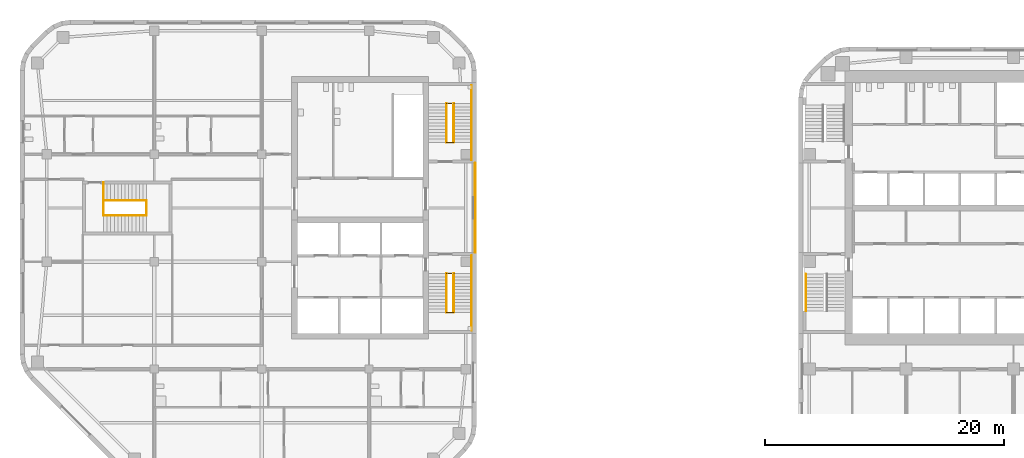
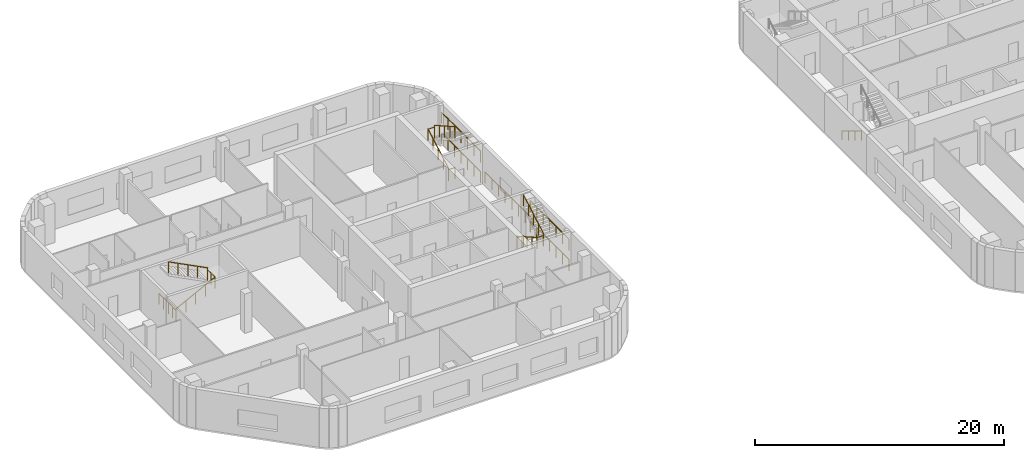
# One storey, part 13 of 15: 19 railings, 1 element without a shape of its own.
"""IFC4 building model written with IfcOpenShell, lengths in metres."""

from ifc_helpers import new_model, si_unit, direction, frame, origin, origin_2d, place, context, subcontext, project, spatial, circle, extrude, material, type_object, element, aggregate, save


model = new_model("IFC4")

# Units and contexts
model_context = context("Model", 3, precision=1e-05, world=origin(), true_north=direction((0.0, 1.0)))
body_context = subcontext(model_context, "Body", "Model", "MODEL_VIEW")
ifc_project = project(units=[si_unit("LENGTHUNIT", "METRE"), si_unit("AREAUNIT", "SQUARE_METRE"), si_unit("VOLUMEUNIT", "CUBIC_METRE"), si_unit("PLANEANGLEUNIT", "RADIAN"), si_unit("MASSUNIT", "GRAM", prefix="KILO")], contexts=[model_context])

# Site, building, storey
site_placement = place(None, origin())
site = spatial("IfcSite", under=ifc_project, at=site_placement, CompositionType="ELEMENT")
building_placement = place(site_placement, origin())
building = spatial("IfcBuilding", under=site, at=building_placement, Name="Cinnabar Reach Civic Tower", CompositionType="ELEMENT")
storey_placement = place(building_placement, frame((0.0, 0.0, 59.0)))
storey = spatial("IfcBuildingStorey", under=building, at=storey_placement, Name="L13", CompositionType="ELEMENT", Elevation=59.0)

# Stair, railing
ifc_material_1 = material(Name="Concrete C40/50", Category="concrete")
stair_type = type_object("IfcStairType", Name="T1 Exit stair, half-turn", PredefinedType="HALF_TURN_STAIR", material=ifc_material_1)
stair_placement = place(storey_placement, origin())
stair = element("IfcStair", 1, at=stair_placement, inside=storey, type_object=stair_type, Name="Stair T1-S1", PredefinedType="HALF_TURN_STAIR")
ifc_material_2 = material(Name="Stainless steel tube", Category="steel")
railing_type_1 = type_object("IfcRailingType", Name="T1 Stair handrail, stainless tube 48", PredefinedType="HANDRAIL", material=ifc_material_2)
railing_1_placement = place(storey_placement, frame((0.6, 25.95, 0.1667)))
railing_1 = element("IfcRailing", 2, at=railing_1_placement, type_object=railing_type_1, Name="T1-S1 handrail 1", PredefinedType="HANDRAIL", context=body_context, shape_type="SweptSolid", body=[
    extrude(circle(Radius=0.024, at=origin_2d()), frame((0.0, 0.0, 0.876), z_axis=(0.0, -0.859296971757, 0.511476992962), x_axis=(1.0, 0.0, 0.0)), (0.0, 0.0, 1.0), 3.5843),
    extrude(circle(Radius=0.021, at=origin_2d()), origin(), (0.0, 0.0, 1.0), 0.852),
    extrude(circle(Radius=0.021, at=origin_2d()), frame((0.0, -1.0267, 0.6111)), (0.0, 0.0, 1.0), 0.852),
    extrude(circle(Radius=0.021, at=origin_2d()), frame((0.0, -2.0533, 1.2222)), (0.0, 0.0, 1.0), 0.852),
    extrude(circle(Radius=0.021, at=origin_2d()), frame((0.0, -3.08, 1.8333)), (0.0, 0.0, 1.0), 0.852),
])
aggregate(stair, [railing_1])

# Railings
ifc_material_3 = material(Name="Stainless steel", Category="steel")
railing_type_2 = type_object("IfcRailingType", Name="T2 Stair guard 1100", PredefinedType="GUARDRAIL", material=ifc_material_3)
railing_2_placement = place(storey_placement, frame((-27.1, 27.75, 0.0)))
element("IfcRailing", 3, at=railing_2_placement, inside=storey, type_object=railing_type_2, Name="Corridor end guard", PredefinedType="GUARDRAIL", context=body_context, shape_type="SweptSolid", body=[
    extrude(circle(Radius=0.024, at=origin_2d()), frame((0.0, 0.0, 1.076), z_axis=(0.0, 1.0, 0.0), x_axis=(-1.0, 0.0, 0.0)), (0.0, 0.0, 1.0), 7.5),
    extrude(circle(Radius=0.021, at=origin_2d()), origin(), (0.0, 0.0, 1.0), 1.052),
    extrude(circle(Radius=0.021, at=origin_2d()), frame((0.0, 1.0714, 0.0)), (0.0, 0.0, 1.0), 1.052),
    extrude(circle(Radius=0.021, at=origin_2d()), frame((0.0, 2.1429, 0.0)), (0.0, 0.0, 1.0), 1.052),
    extrude(circle(Radius=0.021, at=origin_2d()), frame((0.0, 3.2143, 0.0)), (0.0, 0.0, 1.0), 1.052),
    extrude(circle(Radius=0.021, at=origin_2d()), frame((0.0, 4.2857, 0.0)), (0.0, 0.0, 1.0), 1.052),
    extrude(circle(Radius=0.021, at=origin_2d()), frame((0.0, 5.3571, 0.0)), (0.0, 0.0, 1.0), 1.052),
    extrude(circle(Radius=0.021, at=origin_2d()), frame((0.0, 6.4286, 0.0)), (0.0, 0.0, 1.0), 1.052),
    extrude(circle(Radius=0.021, at=origin_2d()), frame((0.0, 7.5, 0.0)), (0.0, 0.0, 1.0), 1.052),
])
for number, where, name in (
    (4, (-27.4, 21.25, 0.0), "Stair guard 1"),
    (5, (-27.4, 21.25, 2.0), "Stair guard 1"),
):
    element("IfcRailing", number, at=place(storey_placement, frame(where)), inside=storey, type_object=railing_type_2, Name=name, PredefinedType="GUARDRAIL", context=body_context, shape_type="SweptSolid", body=[
        extrude(circle(Radius=0.024, at=origin_2d()), frame((0.0, 0.0, 1.076), z_axis=(0.0, 1.0, 0.0), x_axis=(-1.0, 0.0, 0.0)), (0.0, 0.0, 1.0), 6.25),
        extrude(circle(Radius=0.021, at=origin_2d()), origin(), (0.0, 0.0, 1.0), 1.052),
        extrude(circle(Radius=0.021, at=origin_2d()), frame((0.0, 1.0417, 0.0)), (0.0, 0.0, 1.0), 1.052),
        extrude(circle(Radius=0.021, at=origin_2d()), frame((0.0, 2.0833, 0.0)), (0.0, 0.0, 1.0), 1.052),
        extrude(circle(Radius=0.021, at=origin_2d()), frame((0.0, 3.125, 0.0)), (0.0, 0.0, 1.0), 1.052),
        extrude(circle(Radius=0.021, at=origin_2d()), frame((0.0, 4.1667, 0.0)), (0.0, 0.0, 1.0), 1.052),
        extrude(circle(Radius=0.021, at=origin_2d()), frame((0.0, 5.2083, 0.0)), (0.0, 0.0, 1.0), 1.052),
        extrude(circle(Radius=0.021, at=origin_2d()), frame((0.0, 6.25, 0.0)), (0.0, 0.0, 1.0), 1.052),
    ])
for number, where, name in (
    (6, (-29.5, 26.0, 0.0), "Stair guard 1"),
    (7, (-29.5, 22.75, 2.0), "Stair guard 1"),
):
    element("IfcRailing", number, at=place(storey_placement, frame(where)), inside=storey, type_object=railing_type_2, Name=name, PredefinedType="GUARDRAIL", context=body_context, shape_type="SweptSolid", body=[
        extrude(circle(Radius=0.024, at=origin_2d()), frame((0.0, 0.0, 1.076), z_axis=(1.0, 0.0, 0.0), x_axis=(0.0, 1.0, 0.0)), (0.0, 0.0, 1.0), 0.6),
        extrude(circle(Radius=0.021, at=origin_2d()), origin(), (0.0, 0.0, 1.0), 1.052),
        extrude(circle(Radius=0.021, at=origin_2d()), frame((0.6, 0.0, 0.0)), (0.0, 0.0, 1.0), 1.052),
    ])
railing_3_placement = place(storey_placement, frame((-29.5, 26.0, 0.1538)))
element("IfcRailing", 8, at=railing_3_placement, inside=storey, type_object=railing_type_2, Name="Stair guard 1", PredefinedType="GUARDRAIL", context=body_context, shape_type="SweptSolid", body=[
    extrude(circle(Radius=0.024, at=origin_2d()), frame((0.0, 0.0, 1.076), z_axis=(0.0, -0.869501474428, 0.493930345258), x_axis=(1.0, 0.0, 0.0)), (0.0, 0.0, 1.0), 3.7378),
    extrude(circle(Radius=0.021, at=origin_2d()), origin(), (0.0, 0.0, 1.0), 1.052),
    extrude(circle(Radius=0.021, at=origin_2d()), frame((0.0, -0.8125, 0.4616)), (0.0, 0.0, 1.0), 1.052),
    extrude(circle(Radius=0.021, at=origin_2d()), frame((0.0, -1.625, 0.9231)), (0.0, 0.0, 1.0), 1.052),
    extrude(circle(Radius=0.021, at=origin_2d()), frame((0.0, -2.4375, 1.3847)), (0.0, 0.0, 1.0), 1.052),
    extrude(circle(Radius=0.021, at=origin_2d()), frame((0.0, -3.25, 1.8462)), (0.0, 0.0, 1.0), 1.052),
])
railing_4_placement = place(storey_placement, frame((-28.9, 22.75, 2.1538)))
element("IfcRailing", 9, at=railing_4_placement, inside=storey, type_object=railing_type_2, Name="Stair guard 1", PredefinedType="GUARDRAIL", context=body_context, shape_type="SweptSolid", body=[
    extrude(circle(Radius=0.024, at=origin_2d()), frame((0.0, 0.0, 1.076), z_axis=(0.0, 0.869501474428, 0.493930345258), x_axis=(-1.0, 0.0, 0.0)), (0.0, 0.0, 1.0), 3.7378),
    extrude(circle(Radius=0.021, at=origin_2d()), origin(), (0.0, 0.0, 1.0), 1.052),
    extrude(circle(Radius=0.021, at=origin_2d()), frame((0.0, 0.8125, 0.4616)), (0.0, 0.0, 1.0), 1.052),
    extrude(circle(Radius=0.021, at=origin_2d()), frame((0.0, 1.625, 0.9231)), (0.0, 0.0, 1.0), 1.052),
    extrude(circle(Radius=0.021, at=origin_2d()), frame((0.0, 2.4375, 1.3847)), (0.0, 0.0, 1.0), 1.052),
    extrude(circle(Radius=0.021, at=origin_2d()), frame((0.0, 3.25, 1.8462)), (0.0, 0.0, 1.0), 1.052),
])
for number, where, name in (
    (10, (-27.4, 35.5, 0.0), "Stair guard 2"),
    (11, (-27.4, 35.5, 2.0), "Stair guard 2"),
):
    element("IfcRailing", number, at=place(storey_placement, frame(where)), inside=storey, type_object=railing_type_2, Name=name, PredefinedType="GUARDRAIL", context=body_context, shape_type="SweptSolid", body=[
        extrude(circle(Radius=0.024, at=origin_2d()), frame((0.0, 0.0, 1.076), z_axis=(0.0, 1.0, 0.0), x_axis=(-1.0, 0.0, 0.0)), (0.0, 0.0, 1.0), 6.25),
        extrude(circle(Radius=0.021, at=origin_2d()), origin(), (0.0, 0.0, 1.0), 1.052),
        extrude(circle(Radius=0.021, at=origin_2d()), frame((0.0, 1.0417, 0.0)), (0.0, 0.0, 1.0), 1.052),
        extrude(circle(Radius=0.021, at=origin_2d()), frame((0.0, 2.0833, 0.0)), (0.0, 0.0, 1.0), 1.052),
        extrude(circle(Radius=0.021, at=origin_2d()), frame((0.0, 3.125, 0.0)), (0.0, 0.0, 1.0), 1.052),
        extrude(circle(Radius=0.021, at=origin_2d()), frame((0.0, 4.1667, 0.0)), (0.0, 0.0, 1.0), 1.052),
        extrude(circle(Radius=0.021, at=origin_2d()), frame((0.0, 5.2083, 0.0)), (0.0, 0.0, 1.0), 1.052),
        extrude(circle(Radius=0.021, at=origin_2d()), frame((0.0, 6.25, 0.0)), (0.0, 0.0, 1.0), 1.052),
    ])
for number, where, name in (
    (12, (-29.5, 37.0, 0.0), "Stair guard 2"),
    (13, (-29.5, 40.25, 2.0), "Stair guard 2"),
):
    element("IfcRailing", number, at=place(storey_placement, frame(where)), inside=storey, type_object=railing_type_2, Name=name, PredefinedType="GUARDRAIL", context=body_context, shape_type="SweptSolid", body=[
        extrude(circle(Radius=0.024, at=origin_2d()), frame((0.0, 0.0, 1.076), z_axis=(1.0, 0.0, 0.0), x_axis=(0.0, 1.0, 0.0)), (0.0, 0.0, 1.0), 0.6),
        extrude(circle(Radius=0.021, at=origin_2d()), origin(), (0.0, 0.0, 1.0), 1.052),
        extrude(circle(Radius=0.021, at=origin_2d()), frame((0.6, 0.0, 0.0)), (0.0, 0.0, 1.0), 1.052),
    ])
railing_5_placement = place(storey_placement, frame((-29.5, 37.0, 0.1538)))
element("IfcRailing", 14, at=railing_5_placement, inside=storey, type_object=railing_type_2, Name="Stair guard 2", PredefinedType="GUARDRAIL", context=body_context, shape_type="SweptSolid", body=[
    extrude(circle(Radius=0.024, at=origin_2d()), frame((0.0, 0.0, 1.076), z_axis=(0.0, 0.869501474428, 0.493930345258), x_axis=(-1.0, 0.0, 0.0)), (0.0, 0.0, 1.0), 3.7378),
    extrude(circle(Radius=0.021, at=origin_2d()), origin(), (0.0, 0.0, 1.0), 1.052),
    extrude(circle(Radius=0.021, at=origin_2d()), frame((0.0, 0.8125, 0.4616)), (0.0, 0.0, 1.0), 1.052),
    extrude(circle(Radius=0.021, at=origin_2d()), frame((0.0, 1.625, 0.9231)), (0.0, 0.0, 1.0), 1.052),
    extrude(circle(Radius=0.021, at=origin_2d()), frame((0.0, 2.4375, 1.3847)), (0.0, 0.0, 1.0), 1.052),
    extrude(circle(Radius=0.021, at=origin_2d()), frame((0.0, 3.25, 1.8462)), (0.0, 0.0, 1.0), 1.052),
])
railing_6_placement = place(storey_placement, frame((-28.9, 40.25, 2.1538)))
element("IfcRailing", 15, at=railing_6_placement, inside=storey, type_object=railing_type_2, Name="Stair guard 2", PredefinedType="GUARDRAIL", context=body_context, shape_type="SweptSolid", body=[
    extrude(circle(Radius=0.024, at=origin_2d()), frame((0.0, 0.0, 1.076), z_axis=(0.0, -0.869501474428, 0.493930345258), x_axis=(1.0, 0.0, 0.0)), (0.0, 0.0, 1.0), 3.7378),
    extrude(circle(Radius=0.021, at=origin_2d()), origin(), (0.0, 0.0, 1.0), 1.052),
    extrude(circle(Radius=0.021, at=origin_2d()), frame((0.0, -0.8125, 0.4616)), (0.0, 0.0, 1.0), 1.052),
    extrude(circle(Radius=0.021, at=origin_2d()), frame((0.0, -1.625, 0.9231)), (0.0, 0.0, 1.0), 1.052),
    extrude(circle(Radius=0.021, at=origin_2d()), frame((0.0, -2.4375, 1.3847)), (0.0, 0.0, 1.0), 1.052),
    extrude(circle(Radius=0.021, at=origin_2d()), frame((0.0, -3.25, 1.8462)), (0.0, 0.0, 1.0), 1.052),
])
railing_7_placement = place(storey_placement, frame((-58.25, 30.875, 0.0)))
element("IfcRailing", 16, at=railing_7_placement, inside=storey, type_object=railing_type_2, Name="Stair guard 3", PredefinedType="GUARDRAIL", context=body_context, shape_type="SweptSolid", body=[
    extrude(circle(Radius=0.024, at=origin_2d()), frame((0.0, 0.0, 1.076), z_axis=(0.0, 1.0, 0.0), x_axis=(-1.0, 0.0, 0.0)), (0.0, 0.0, 1.0), 1.25),
    extrude(circle(Radius=0.021, at=origin_2d()), origin(), (0.0, 0.0, 1.0), 1.052),
    extrude(circle(Radius=0.021, at=origin_2d()), frame((0.0, 0.625, 0.0)), (0.0, 0.0, 1.0), 1.052),
    extrude(circle(Radius=0.021, at=origin_2d()), frame((0.0, 1.25, 0.0)), (0.0, 0.0, 1.0), 1.052),
])
railing_8_placement = place(storey_placement, frame((-58.25, 32.125, 0.0)))
element("IfcRailing", 17, at=railing_8_placement, inside=storey, type_object=railing_type_2, Name="Stair guard 3", PredefinedType="GUARDRAIL", context=body_context, shape_type="SweptSolid", body=[
    extrude(circle(Radius=0.024, at=origin_2d()), frame((0.0, 0.0, 1.076), z_axis=(0.0, 1.0, 0.0), x_axis=(-1.0, 0.0, 0.0)), (0.0, 0.0, 1.0), 1.5),
    extrude(circle(Radius=0.021, at=origin_2d()), origin(), (0.0, 0.0, 1.0), 1.052),
    extrude(circle(Radius=0.021, at=origin_2d()), frame((0.0, 0.75, 0.0)), (0.0, 0.0, 1.0), 1.052),
    extrude(circle(Radius=0.021, at=origin_2d()), frame((0.0, 1.5, 0.0)), (0.0, 0.0, 1.0), 1.052),
])
railing_9_placement = place(storey_placement, frame((-54.65, 30.875, 2.0)))
element("IfcRailing", 18, at=railing_9_placement, inside=storey, type_object=railing_type_2, Name="Stair guard 3", PredefinedType="GUARDRAIL", context=body_context, shape_type="SweptSolid", body=[
    extrude(circle(Radius=0.024, at=origin_2d()), frame((0.0, 0.0, 1.076), z_axis=(0.0, 1.0, 0.0), x_axis=(-1.0, 0.0, 0.0)), (0.0, 0.0, 1.0), 1.25),
    extrude(circle(Radius=0.021, at=origin_2d()), origin(), (0.0, 0.0, 1.0), 1.052),
    extrude(circle(Radius=0.021, at=origin_2d()), frame((0.0, 0.625, 0.0)), (0.0, 0.0, 1.0), 1.052),
    extrude(circle(Radius=0.021, at=origin_2d()), frame((0.0, 1.25, 0.0)), (0.0, 0.0, 1.0), 1.052),
])
railing_10_placement = place(storey_placement, frame((-58.25, 30.875, 0.1538)))
element("IfcRailing", 19, at=railing_10_placement, inside=storey, type_object=railing_type_2, Name="Stair guard 3", PredefinedType="GUARDRAIL", context=body_context, shape_type="SweptSolid", body=[
    extrude(circle(Radius=0.024, at=origin_2d()), frame((0.0, 0.0, 1.076), z_axis=(0.889812830738, 0.0, 0.45632568003), x_axis=(0.0, 1.0, 0.0)), (0.0, 0.0, 1.0), 4.0458),
    extrude(circle(Radius=0.021, at=origin_2d()), origin(), (0.0, 0.0, 1.0), 1.052),
    extrude(circle(Radius=0.021, at=origin_2d()), frame((0.9, 0.0, 0.4616)), (0.0, 0.0, 1.0), 1.052),
    extrude(circle(Radius=0.021, at=origin_2d()), frame((1.8, 0.0, 0.9231)), (0.0, 0.0, 1.0), 1.052),
    extrude(circle(Radius=0.021, at=origin_2d()), frame((2.7, 0.0, 1.3847)), (0.0, 0.0, 1.0), 1.052),
    extrude(circle(Radius=0.021, at=origin_2d()), frame((3.6, 0.0, 1.8462)), (0.0, 0.0, 1.0), 1.052),
])
railing_11_placement = place(storey_placement, frame((-54.65, 32.125, 2.1538)))
element("IfcRailing", 20, at=railing_11_placement, inside=storey, type_object=railing_type_2, Name="Stair guard 3", PredefinedType="GUARDRAIL", context=body_context, shape_type="SweptSolid", body=[
    extrude(circle(Radius=0.024, at=origin_2d()), frame((0.0, 0.0, 1.076), z_axis=(-0.889812830738, 0.0, 0.45632568003), x_axis=(0.0, -1.0, 0.0)), (0.0, 0.0, 1.0), 4.0458),
    extrude(circle(Radius=0.021, at=origin_2d()), origin(), (0.0, 0.0, 1.0), 1.052),
    extrude(circle(Radius=0.021, at=origin_2d()), frame((-0.9, 0.0, 0.4616)), (0.0, 0.0, 1.0), 1.052),
    extrude(circle(Radius=0.021, at=origin_2d()), frame((-1.8, 0.0, 0.9231)), (0.0, 0.0, 1.0), 1.052),
    extrude(circle(Radius=0.021, at=origin_2d()), frame((-2.7, 0.0, 1.3847)), (0.0, 0.0, 1.0), 1.052),
    extrude(circle(Radius=0.021, at=origin_2d()), frame((-3.6, 0.0, 1.8462)), (0.0, 0.0, 1.0), 1.052),
])

save(model, "model.ifc")
